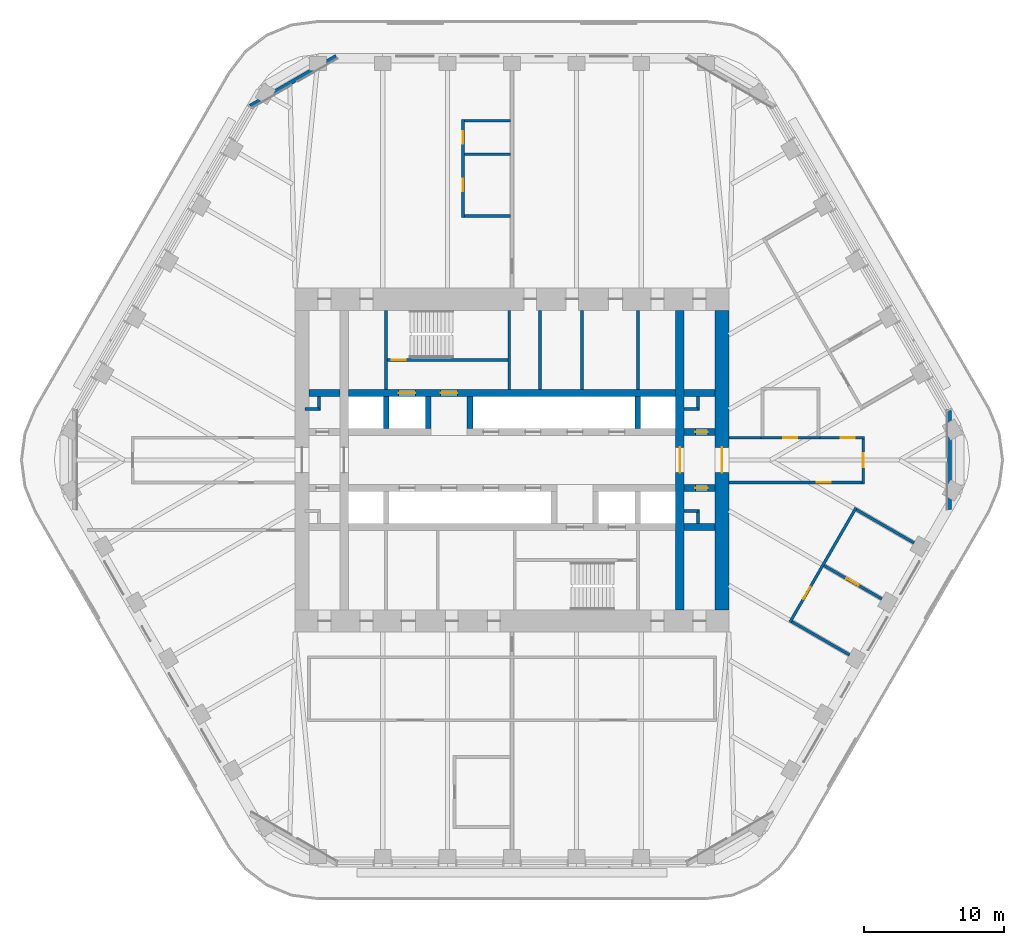
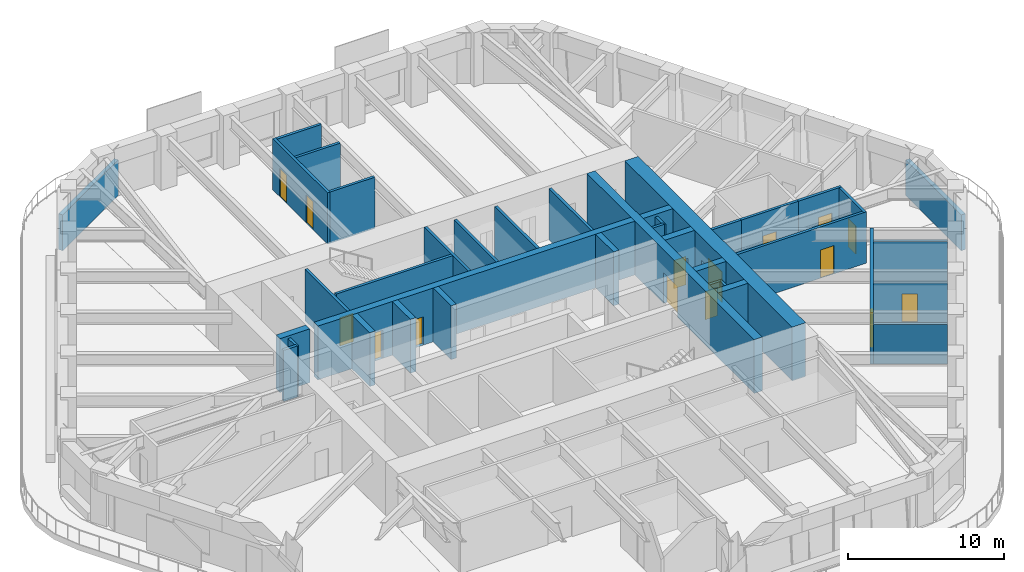
# One storey, part 16 of 20: 39 walls, 15 doors, 15 openings.
"""IFC4 building model written with IfcOpenShell, lengths in metres."""

from ifc_helpers import new_model, si_unit, direction, frame, frame_2d, origin, place, context, subcontext, project, spatial, rectangle, extrude, material, layer, layer_set, type_object, element, fill, save


model = new_model("IFC4")

# Units and contexts
model_context = context("Model", 3, precision=1e-05, world=origin(), true_north=direction((0.0, 1.0)))
body_context = subcontext(model_context, "Body", "Model", "MODEL_VIEW")
ifc_project = project(units=[si_unit("LENGTHUNIT", "METRE"), si_unit("AREAUNIT", "SQUARE_METRE"), si_unit("VOLUMEUNIT", "CUBIC_METRE"), si_unit("PLANEANGLEUNIT", "RADIAN"), si_unit("MASSUNIT", "GRAM", prefix="KILO")], contexts=[model_context])

# Site, building, storey
site_placement = place(None, origin())
site = spatial("IfcSite", under=ifc_project, at=site_placement, CompositionType="ELEMENT")
building_placement = place(site_placement, origin())
building = spatial("IfcBuilding", under=site, at=building_placement, Name="Tarfa Lantern Tower", CompositionType="ELEMENT")
storey_placement = place(building_placement, frame((0.0, 0.0, 257.5)))
storey = spatial("IfcBuildingStorey", under=building, at=storey_placement, Name="L58", CompositionType="ELEMENT", Elevation=257.5)

# Walls
ifc_material_1 = material(Name="Limestone cladding on blockwork", Category="masonry")
ifc_layer_1 = layer(ifc_material_1, 0.300048828125)
ifc_layer_set_1 = layer_set([ifc_layer_1], Name="EW1 STONE-CLAD WALL 300")
wall_type_1 = type_object("IfcWallType", Name="EW1 STONE-CLAD WALL 300", PredefinedType="SOLIDWALL", material=ifc_layer_set_1)
wall_1_placement = place(storey_placement, frame((-12.556396484375, 28.85009765625, 0.0), z_axis=(0.0, 0.0, 1.0), x_axis=(-0.866010973379, -0.500024993363, 0.0)))
element("IfcWall", 1, at=wall_1_placement, inside=storey, type_object=wall_type_1, Name="Garden wall N-NW", PredefinedType="SOLIDWALL", context=body_context, shape_type="SweptSolid", body=[
    extrude(rectangle(XDim=7.101806640625, YDim=0.300048828125, at=frame_2d((3.55078125, 0.0))), origin(), (0.0, 0.0, 1.0), 2.800048828125),
])
wall_2_placement = place(storey_placement, frame((31.262939453125, -3.55078125, 0.0), z_axis=(0.0, 0.0, 1.0), x_axis=(0.0, 1.0, 0.0)))
element("IfcWall", 2, at=wall_2_placement, inside=storey, type_object=wall_type_1, Name="Garden wall SE-NE", PredefinedType="SOLIDWALL", context=body_context, shape_type="SweptSolid", body=[
    extrude(rectangle(XDim=7.1015625, YDim=0.300048828125, at=frame_2d((3.55078125, 0.0))), origin(), (0.0, 0.0, 1.0), 2.800048828125),
])
ifc_material_2 = material(Name="Concrete blockwork", Category="masonry")
ifc_layer_2 = layer(ifc_material_2, 0.199951171875)
ifc_layer_set_2 = layer_set([ifc_layer_2], Name="IW1 BLOCKWORK PARTITION 200 EI 120")
wall_type_2 = type_object("IfcWallType", Name="IW1 BLOCKWORK PARTITION 200 EI 120", PredefinedType="PARTITIONING", material=ifc_layer_set_2)
for number, where, z_axis, x_axis, name in (
    (3, (-9.0, 5.050048828125, 0.0), (0.0, 0.0, 1.0), (0.0, 1.0, 0.0), "Core partition"),
    (4, (9.0, 5.050048828125, 0.0), (0.0, 0.0, 1.0), (0.0, 1.0, 0.0), "Core partition"),
    (5, (2.0, 5.050048828125, 0.0), (0.0, 0.0, 1.0), (0.0, 1.0, 0.0), "Core partition"),
    (6, (5.0, 5.050048828125, 0.0), (0.0, 0.0, 1.0), (0.0, 1.0, 0.0), "Core partition"),
):
    element("IfcWall", number, at=place(storey_placement, frame(where, z_axis=z_axis, x_axis=x_axis)), inside=storey, type_object=wall_type_2, Name=name, PredefinedType="PARTITIONING", context=body_context, shape_type="SweptSolid", body=[
        extrude(rectangle(XDim=5.64990234375, YDim=0.199951171875, at=frame_2d((2.824951171875, 0.0))), origin(), (0.0, 0.0, 1.0), 4.0),
    ])
for number, where, z_axis, x_axis, name in (
    (7, (-14.800048828125, 3.64990234375, 0.0), (0.0, 0.0, 1.0), (1.0, 0.0, 0.0), "Core partition"),
    (8, (-13.800048828125, 3.550048828125, 0.0), (0.0, 0.0, 1.0), (0.0, 1.0, 0.0), "Core partition"),
    (9, (12.300048828125, 3.64990234375, 0.0), (0.0, 0.0, 1.0), (1.0, 0.0, 0.0), "Core partition"),
    (10, (13.300048828125, 3.550048828125, 0.0), (0.0, 0.0, 1.0), (0.0, 1.0, 0.0), "Core partition"),
    (11, (13.300048828125, -3.64990234375, 0.0), (0.0, 0.0, 1.0), (-1.0, 0.0, 0.0), "Core partition"),
    (12, (13.300048828125, -3.550048828125, 0.0), (0.0, 0.0, 1.0), (0.0, -1.0, 0.0), "Core partition"),
):
    element("IfcWall", number, at=place(storey_placement, frame(where, z_axis=z_axis, x_axis=x_axis)), inside=storey, type_object=wall_type_2, Name=name, PredefinedType="PARTITIONING", context=body_context, shape_type="SweptSolid", body=[
        extrude(rectangle(XDim=1.0, YDim=0.199951171875, at=frame_2d((0.5, 0.0))), origin(), (0.0, 0.0, 1.0), 4.0),
    ])

# Wall, opening, door
ifc_material_3 = material(Name="Gypsum board on steel studs", Category="steel")
ifc_layer_3 = layer(ifc_material_3, 0.2099609375)
ifc_layer_set_3 = layer_set([ifc_layer_3], Name="IW2 ACOUSTIC PARTITION 200")
wall_type_3 = type_object("IfcWallType", Name="IW2 ACOUSTIC PARTITION 200", PredefinedType="PARTITIONING", material=ifc_layer_set_3)
wall_3_placement = place(storey_placement, frame((19.86865234375, -11.586669921875, 0.0), z_axis=(0.0, 0.0, 1.0), x_axis=(0.499989672313, 0.866031366395, 0.0)))
wall_3 = element("IfcWall", 13, at=wall_3_placement, inside=storey, type_object=wall_type_3, Name="Partition", PredefinedType="PARTITIONING", context=body_context, shape_type="SweptSolid", body=[
    extrude(rectangle(XDim=9.437744140625, YDim=0.199951171875, at=frame_2d((4.71875, 0.0))), origin(), (0.0, 0.0, 1.0), 4.0),
])
opening_1_placement = place(wall_3_placement, frame((1.909423828125, 0.0, 0.0)))
opening_1 = element("IfcOpeningElement", 14, at=opening_1_placement, cuts=wall_3, Name="Opening D30", PredefinedType="OPENING", context=body_context, shape_type="SweptSolid", body=[
    extrude(rectangle(XDim=1.0, YDim=2.199951171875, at=frame_2d((0.5, 1.10009765625))), frame((0.0, 0.10986328125, 0.0), z_axis=(0.0, -1.0, 0.0), x_axis=(1.0, 0.0, 0.0)), (0.0, 0.0, 1.0), 0.219970703125),
])
ifc_material_4 = material(Name="Timber door", Category="wood")
door_type_1 = type_object("IfcDoorType", Name="DR1 ROOM DOOR 1000x2200", OperationType="SINGLE_SWING_LEFT", PredefinedType="DOOR", material=ifc_material_4)
door_1_placement = place(opening_1_placement, frame((1.0, 0.0, 0.0), z_axis=(0.0, 0.0, 1.0), x_axis=(-1.0, 0.0, 0.0)))
door_1 = element("IfcDoor", 15, at=door_1_placement, inside=storey, type_object=door_type_1, Name="Client reception door", OperationType="SINGLE_SWING_LEFT", OverallHeight=2.199951171875, OverallWidth=1.0, PredefinedType="DOOR", context=body_context, shape_type="SweptSolid", body=[
    extrude(rectangle(XDim=1.0, YDim=2.199951171875, at=frame_2d((0.5, 1.10009765625))), frame((0.0, 0.02490234375, 0.0), z_axis=(0.0, -1.0, 0.0), x_axis=(1.0, 0.0, 0.0)), (0.0, 0.0, 1.0), 0.050048828125),
])
fill(opening_1, door_1)

# Wall
wall_4_placement = place(storey_placement, frame((20.005126953125, -11.550048828125, 0.0), z_axis=(0.0, 0.0, 1.0), x_axis=(0.866033238375, -0.499986429846, 0.0)))
element("IfcWall", 16, at=wall_4_placement, inside=storey, type_object=wall_type_3, Name="Partition", PredefinedType="PARTITIONING", context=body_context, shape_type="SweptSolid", body=[
    extrude(rectangle(XDim=4.750244140625, YDim=0.199951171875, at=frame_2d((2.375, 0.0))), origin(), (0.0, 0.0, 1.0), 3.08154296875),
])

# Wall, opening, door
wall_5_placement = place(storey_placement, frame((22.314697265625, -7.550048828125, 0.0), z_axis=(0.0, 0.0, 1.0), x_axis=(0.866020389056, -0.500008685663, 0.0)))
wall_5 = element("IfcWall", 17, at=wall_5_placement, inside=storey, type_object=wall_type_3, Name="Partition", PredefinedType="PARTITIONING", context=body_context, shape_type="SweptSolid", body=[
    extrude(rectangle(XDim=4.75, YDim=0.199951171875, at=frame_2d((2.375, 0.0))), origin(), (0.0, 0.0, 1.0), 3.08154296875),
])
opening_2_placement = place(wall_5_placement, frame((1.824951171875, 0.0, 0.0)))
opening_2 = element("IfcOpeningElement", 18, at=opening_2_placement, cuts=wall_5, Name="Opening D31", PredefinedType="OPENING", context=body_context, shape_type="SweptSolid", body=[
    extrude(rectangle(XDim=1.0, YDim=2.199951171875, at=frame_2d((0.5, 1.10009765625))), frame((0.0, 0.10986328125, 0.0), z_axis=(0.0, -1.0, 0.0), x_axis=(1.0, 0.0, 0.0)), (0.0, 0.0, 1.0), 0.219970703125),
])
door_2_placement = place(opening_2_placement, origin())
door_2 = element("IfcDoor", 19, at=door_2_placement, inside=storey, type_object=door_type_1, Name="Client meeting room door", OperationType="SINGLE_SWING_RIGHT", OverallHeight=2.199951171875, OverallWidth=1.0, PredefinedType="DOOR", context=body_context, shape_type="SweptSolid", body=[
    extrude(rectangle(XDim=1.0, YDim=2.199951171875, at=frame_2d((0.5, 1.10009765625))), frame((0.0, 0.02490234375, 0.0), z_axis=(0.0, -1.0, 0.0), x_axis=(1.0, 0.0, 0.0)), (0.0, 0.0, 1.0), 0.050048828125),
])
fill(opening_2, door_2)

# Wall
wall_6_placement = place(storey_placement, frame((24.6240234375, -3.550048828125, 0.0), z_axis=(0.0, 0.0, 1.0), x_axis=(0.866020389056, -0.500008685663, 0.0)))
element("IfcWall", 20, at=wall_6_placement, inside=storey, type_object=wall_type_3, Name="Partition", PredefinedType="PARTITIONING", context=body_context, shape_type="SweptSolid", body=[
    extrude(rectangle(XDim=4.75, YDim=0.199951171875, at=frame_2d((2.375, 0.0))), origin(), (0.0, 0.0, 1.0), 3.08154296875),
])

# Wall, opening, door
wall_7_placement = place(storey_placement, frame((17.800048828125, 1.60009765625, 0.0), z_axis=(0.0, 0.0, 1.0), x_axis=(1.0, 0.0, 0.0)))
wall_7 = element("IfcWall", 21, at=wall_7_placement, inside=storey, type_object=wall_type_3, Name="Partition", PredefinedType="PARTITIONING", context=body_context, shape_type="SweptSolid", body=[
    extrude(rectangle(XDim=4.199951171875, YDim=0.199951171875, at=frame_2d((2.10009765625, 0.0))), origin(), (0.0, 0.0, 1.0), 4.0),
])
opening_3_placement = place(wall_7_placement, frame((1.60009765625, 0.0, 0.0)))
opening_3 = element("IfcOpeningElement", 22, at=opening_3_placement, cuts=wall_7, Name="Opening D27", PredefinedType="OPENING", context=body_context, shape_type="SweptSolid", body=[
    extrude(rectangle(XDim=1.0, YDim=2.199951171875, at=frame_2d((0.5, 1.10009765625))), frame((0.0, 0.10986328125, 0.0), z_axis=(0.0, -1.0, 0.0), x_axis=(1.0, 0.0, 0.0)), (0.0, 0.0, 1.0), 0.219970703125),
])
door_3_placement = place(opening_3_placement, origin())
door_3 = element("IfcDoor", 23, at=door_3_placement, inside=storey, type_object=door_type_1, Name="Pantry door", OperationType="SINGLE_SWING_LEFT", OverallHeight=2.199951171875, OverallWidth=1.0, PredefinedType="DOOR", context=body_context, shape_type="SweptSolid", body=[
    extrude(rectangle(XDim=1.0, YDim=2.199951171875, at=frame_2d((0.5, 1.10009765625))), frame((0.0, 0.02490234375, 0.0), z_axis=(0.0, -1.0, 0.0), x_axis=(1.0, 0.0, 0.0)), (0.0, 0.0, 1.0), 0.050048828125),
])
fill(opening_3, door_3)

# Wall
wall_8_placement = place(storey_placement, frame((15.5, 1.60009765625, 0.0), z_axis=(0.0, 0.0, 1.0), x_axis=(1.0, 0.0, 0.0)))
element("IfcWall", 24, at=wall_8_placement, inside=storey, type_object=wall_type_3, Name="Partition", PredefinedType="PARTITIONING", context=body_context, shape_type="SweptSolid", body=[
    extrude(rectangle(XDim=2.300048828125, YDim=0.199951171875, at=frame_2d((1.14990234375, 0.0))), origin(), (0.0, 0.0, 1.0), 4.0),
])

# Wall, opening, door
wall_9_placement = place(storey_placement, frame((22.0, 1.60009765625, 0.0), z_axis=(0.0, 0.0, 1.0), x_axis=(1.0, 0.0, 0.0)))
wall_9 = element("IfcWall", 25, at=wall_9_placement, inside=storey, type_object=wall_type_3, Name="Partition", PredefinedType="PARTITIONING", context=body_context, shape_type="SweptSolid", body=[
    extrude(rectangle(XDim=3.199951171875, YDim=0.199951171875, at=frame_2d((1.60009765625, 0.0))), origin(), (0.0, 0.0, 1.0), 4.0),
])
opening_4_placement = place(wall_9_placement, frame((1.5, 0.0, 0.0)))
opening_4 = element("IfcOpeningElement", 26, at=opening_4_placement, cuts=wall_9, Name="Opening D38", PredefinedType="OPENING", context=body_context, shape_type="SweptSolid", body=[
    extrude(rectangle(XDim=1.0, YDim=2.199951171875, at=frame_2d((0.5, 1.10009765625))), frame((0.0, 0.10986328125, 0.0), z_axis=(0.0, -1.0, 0.0), x_axis=(1.0, 0.0, 0.0)), (0.0, 0.0, 1.0), 0.219970703125),
])
door_4_placement = place(opening_4_placement, origin())
door_4 = element("IfcDoor", 27, at=door_4_placement, inside=storey, type_object=door_type_1, Name="Corridor door", OperationType="SINGLE_SWING_RIGHT", OverallHeight=2.199951171875, OverallWidth=1.0, PredefinedType="DOOR", context=body_context, shape_type="SweptSolid", body=[
    extrude(rectangle(XDim=1.0, YDim=2.199951171875, at=frame_2d((0.5, 1.10009765625))), frame((0.0, 0.02490234375, 0.0), z_axis=(0.0, -1.0, 0.0), x_axis=(1.0, 0.0, 0.0)), (0.0, 0.0, 1.0), 0.050048828125),
])
fill(opening_4, door_4)

wall_10_placement = place(storey_placement, frame((15.5, -1.60009765625, 0.0), z_axis=(0.0, 0.0, 1.0), x_axis=(1.0, 0.0, 0.0)))
wall_10 = element("IfcWall", 28, at=wall_10_placement, inside=storey, type_object=wall_type_3, Name="Partition", PredefinedType="PARTITIONING", context=body_context, shape_type="SweptSolid", body=[
    extrude(rectangle(XDim=9.699951171875, YDim=0.199951171875, at=frame_2d((4.85009765625, 0.0))), origin(), (0.0, 0.0, 1.0), 4.0),
])
opening_5_placement = place(wall_10_placement, frame((6.2900390625, 0.0, 0.0)))
opening_5 = element("IfcOpeningElement", 29, at=opening_5_placement, cuts=wall_10, Name="Opening D39", PredefinedType="OPENING", context=body_context, shape_type="SweptSolid", body=[
    extrude(rectangle(XDim=1.0, YDim=2.199951171875, at=frame_2d((0.5, 1.10009765625))), frame((0.0, 0.10986328125, 0.0), z_axis=(0.0, -1.0, 0.0), x_axis=(1.0, 0.0, 0.0)), (0.0, 0.0, 1.0), 0.219970703125),
])
door_5_placement = place(opening_5_placement, frame((1.0, 0.0, 0.0), z_axis=(0.0, 0.0, 1.0), x_axis=(-1.0, 0.0, 0.0)))
door_5 = element("IfcDoor", 30, at=door_5_placement, inside=storey, type_object=door_type_1, Name="Corridor door", OperationType="SINGLE_SWING_RIGHT", OverallHeight=2.199951171875, OverallWidth=1.0, PredefinedType="DOOR", context=body_context, shape_type="SweptSolid", body=[
    extrude(rectangle(XDim=1.0, YDim=2.199951171875, at=frame_2d((0.5, 1.10009765625))), frame((0.0, 0.02490234375, 0.0), z_axis=(0.0, -1.0, 0.0), x_axis=(1.0, 0.0, 0.0)), (0.0, 0.0, 1.0), 0.050048828125),
])
fill(opening_5, door_5)

wall_11_placement = place(storey_placement, frame((25.10009765625, -1.699951171875, 0.0), z_axis=(0.0, 0.0, 1.0), x_axis=(0.0, 1.0, 0.0)))
wall_11 = element("IfcWall", 31, at=wall_11_placement, inside=storey, type_object=wall_type_3, Name="Partition", PredefinedType="PARTITIONING", context=body_context, shape_type="SweptSolid", body=[
    extrude(rectangle(XDim=3.39990234375, YDim=0.199951171875, at=frame_2d((1.699951171875, 0.0))), origin(), (0.0, 0.0, 1.0), 4.0),
])
opening_6_placement = place(wall_11_placement, frame((1.199951171875, 0.0, 0.0)))
opening_6 = element("IfcOpeningElement", 32, at=opening_6_placement, cuts=wall_11, Name="Opening D37", PredefinedType="OPENING", context=body_context, shape_type="SweptSolid", body=[
    extrude(rectangle(XDim=1.0, YDim=2.199951171875, at=frame_2d((0.5, 1.10009765625))), frame((0.0, 0.10986328125, 0.0), z_axis=(0.0, -1.0, 0.0), x_axis=(1.0, 0.0, 0.0)), (0.0, 0.0, 1.0), 0.219970703125),
])
door_6_placement = place(opening_6_placement, frame((1.0, 0.0, 0.0), z_axis=(0.0, 0.0, 1.0), x_axis=(-1.0, 0.0, 0.0)))
door_6 = element("IfcDoor", 33, at=door_6_placement, inside=storey, type_object=door_type_1, Name="Corridor door", OperationType="SINGLE_SWING_LEFT", OverallHeight=2.199951171875, OverallWidth=1.0, PredefinedType="DOOR", context=body_context, shape_type="SweptSolid", body=[
    extrude(rectangle(XDim=1.0, YDim=2.199951171875, at=frame_2d((0.5, 1.10009765625))), frame((0.0, 0.02490234375, 0.0), z_axis=(0.0, -1.0, 0.0), x_axis=(1.0, 0.0, 0.0)), (0.0, 0.0, 1.0), 0.050048828125),
])
fill(opening_6, door_6)

# Wall, openings, doors
wall_12_placement = place(storey_placement, frame((-3.5, 17.3525390625, 0.0), z_axis=(0.0, 0.0, 1.0), x_axis=(0.0, 1.0, 0.0)))
wall_12 = element("IfcWall", 34, at=wall_12_placement, inside=storey, type_object=wall_type_3, Name="Partition", PredefinedType="PARTITIONING", context=body_context, shape_type="SweptSolid", body=[
    extrude(rectangle(XDim=7.0, YDim=0.199951171875, at=frame_2d((3.5, 0.0))), origin(), (0.0, 0.0, 1.0), 4.0),
])
opening_7_placement = place(wall_12_placement, frame((1.85009765625, 0.0, 0.0)))
opening_7 = element("IfcOpeningElement", 35, at=opening_7_placement, cuts=wall_12, Name="Opening D34", PredefinedType="OPENING", context=body_context, shape_type="SweptSolid", body=[
    extrude(rectangle(XDim=0.89990234375, YDim=2.199951171875, at=frame_2d((0.449951171875, 1.10009765625))), frame((0.0, 0.10986328125, 0.0), z_axis=(0.0, -1.0, 0.0), x_axis=(1.0, 0.0, 0.0)), (0.0, 0.0, 1.0), 0.219970703125),
])
opening_8_placement = place(wall_12_placement, frame((5.25, 0.0, 0.0)))
opening_8 = element("IfcOpeningElement", 36, at=opening_8_placement, cuts=wall_12, Name="Opening D35", PredefinedType="OPENING", context=body_context, shape_type="SweptSolid", body=[
    extrude(rectangle(XDim=0.89990234375, YDim=2.199951171875, at=frame_2d((0.449951171875, 1.10009765625))), frame((0.0, 0.10986328125, 0.0), z_axis=(0.0, -1.0, 0.0), x_axis=(1.0, 0.0, 0.0)), (0.0, 0.0, 1.0), 0.219970703125),
])
door_type_2 = type_object("IfcDoorType", Name="DR3 ROOM DOOR 900x2200", OperationType="SINGLE_SWING_LEFT", PredefinedType="DOOR", material=ifc_material_4)
door_7_placement = place(opening_7_placement, frame((0.89990234375, 0.0, 0.0), z_axis=(0.0, 0.0, 1.0), x_axis=(-1.0, 0.0, 0.0)))
door_7 = element("IfcDoor", 37, at=door_7_placement, inside=storey, type_object=door_type_2, Name="Project room door", OperationType="SINGLE_SWING_LEFT", OverallHeight=2.199951171875, OverallWidth=0.89990234375, PredefinedType="DOOR", context=body_context, shape_type="SweptSolid", body=[
    extrude(rectangle(XDim=0.89990234375, YDim=2.199951171875, at=frame_2d((0.449951171875, 1.10009765625))), frame((0.0, 0.02490234375, 0.0), z_axis=(0.0, -1.0, 0.0), x_axis=(1.0, 0.0, 0.0)), (0.0, 0.0, 1.0), 0.050048828125),
])
fill(opening_7, door_7)
door_8_placement = place(opening_8_placement, frame((0.89990234375, 0.0, 0.0), z_axis=(0.0, 0.0, 1.0), x_axis=(-1.0, 0.0, 0.0)))
door_8 = element("IfcDoor", 38, at=door_8_placement, inside=storey, type_object=door_type_2, Name="Print and copy room door", OperationType="SINGLE_SWING_RIGHT", OverallHeight=2.199951171875, OverallWidth=0.89990234375, PredefinedType="DOOR", context=body_context, shape_type="SweptSolid", body=[
    extrude(rectangle(XDim=0.89990234375, YDim=2.199951171875, at=frame_2d((0.449951171875, 1.10009765625))), frame((0.0, 0.02490234375, 0.0), z_axis=(0.0, -1.0, 0.0), x_axis=(1.0, 0.0, 0.0)), (0.0, 0.0, 1.0), 0.050048828125),
])
fill(opening_8, door_8)

# Walls
for number, where, z_axis, x_axis, name in (
    (39, (-0.10009765625, 17.452392578125, 0.0), (0.0, 0.0, 1.0), (-1.0, 0.0, 0.0), "Partition"),
    (40, (-0.10009765625, 21.8525390625, 0.0), (0.0, 0.0, 1.0), (-1.0, 0.0, 0.0), "Partition"),
    (41, (-0.10009765625, 24.25244140625, 0.0), (0.0, 0.0, 1.0), (-1.0, 0.0, 0.0), "Partition"),
):
    element("IfcWall", number, at=place(storey_placement, frame(where, z_axis=z_axis, x_axis=x_axis)), inside=storey, type_object=wall_type_3, Name=name, PredefinedType="PARTITIONING", context=body_context, shape_type="SweptSolid", body=[
        extrude(rectangle(XDim=3.2998046875, YDim=0.199951171875, at=frame_2d((1.64990234375, 0.0))), origin(), (0.0, 0.0, 1.0), 4.0),
    ])
ifc_material_5 = material(Name="Concrete C80/95", Category="concrete")
ifc_layer_4 = layer(ifc_material_5, 0.199951171875)
ifc_layer_set_4 = layer_set([ifc_layer_4], Name="SW12 CORE WALL 200")
wall_type_4 = type_object("IfcWallType", Name="SW12 CORE WALL 200", PredefinedType="SHEAR", material=ifc_layer_set_4)
wall_13_placement = place(storey_placement, frame((-0.199951171875, 5.050048828125, 0.0), z_axis=(0.0, 0.0, 1.0), x_axis=(0.0, 1.0, 0.0)))
element("IfcWall", 42, at=wall_13_placement, inside=storey, type_object=wall_type_4, Name="Core wall stair shaft N", PredefinedType="SHEAR", context=body_context, shape_type="SweptSolid", body=[
    extrude(rectangle(XDim=5.64990234375, YDim=0.199951171875, at=frame_2d((2.824951171875, 0.0))), origin(), (0.0, 0.0, 1.0), 4.199951171875),
])

# Wall, opening, door
wall_14_placement = place(storey_placement, frame((-8.89990234375, 7.14990234375, 0.0), z_axis=(0.0, 0.0, 1.0), x_axis=(1.0, 0.0, 0.0)))
wall_14 = element("IfcWall", 43, at=wall_14_placement, inside=storey, type_object=wall_type_4, Name="Core wall stair partition N", PredefinedType="SHEAR", context=body_context, shape_type="SweptSolid", body=[
    extrude(rectangle(XDim=8.599853515625, YDim=0.199951171875, at=frame_2d((4.2998046875, 0.0))), origin(), (0.0, 0.0, 1.0), 4.199951171875),
])
opening_9_placement = place(wall_14_placement, frame((0.300048828125, 0.0, 0.0)))
opening_9 = element("IfcOpeningElement", 44, at=opening_9_placement, cuts=wall_14, Name="Opening D23", PredefinedType="OPENING", context=body_context, shape_type="SweptSolid", body=[
    extrude(rectangle(XDim=1.0, YDim=2.199951171875, at=frame_2d((0.5, 1.10009765625))), frame((0.0, 0.10986328125, 0.0), z_axis=(0.0, -1.0, 0.0), x_axis=(1.0, 0.0, 0.0)), (0.0, 0.0, 1.0), 0.219970703125),
])
ifc_material_6 = material(Name="Steel fire door", Category="steel")
door_type_3 = type_object("IfcDoorType", Name="DF2 STAIR DOOR 1000x2200", OperationType="SINGLE_SWING_LEFT", PredefinedType="DOOR", material=ifc_material_6)
door_9_placement = place(opening_9_placement, origin())
door_9 = element("IfcDoor", 45, at=door_9_placement, inside=storey, type_object=door_type_3, Name="Stair door", OperationType="SINGLE_SWING_RIGHT", OverallHeight=2.199951171875, OverallWidth=1.0, PredefinedType="DOOR", context=body_context, shape_type="SweptSolid", body=[
    extrude(rectangle(XDim=1.0, YDim=2.199951171875, at=frame_2d((0.5, 1.10009765625))), frame((0.0, 0.02490234375, 0.0), z_axis=(0.0, -1.0, 0.0), x_axis=(1.0, 0.0, 0.0)), (0.0, 0.0, 1.0), 0.050048828125),
])
fill(opening_9, door_9)

ifc_layer_5 = layer(ifc_material_5, 1.0)
ifc_layer_set_5 = layer_set([ifc_layer_5], Name="SW2 CORE WALL 1000")
wall_type_5 = type_object("IfcWallType", Name="SW2 CORE WALL 1000", PredefinedType="SHEAR", material=ifc_layer_set_5)
wall_15_placement = place(storey_placement, frame((15.0, -10.699951171875, 0.0), z_axis=(0.0, 0.0, 1.0), x_axis=(0.0, 1.0, 0.0)))
wall_15 = element("IfcWall", 46, at=wall_15_placement, inside=storey, type_object=wall_type_5, Name="Core wall E", PredefinedType="SHEAR", context=body_context, shape_type="SweptSolid", body=[
    extrude(rectangle(XDim=21.39990234375, YDim=1.0, at=frame_2d((10.699951171875, 0.0))), origin(), (0.0, 0.0, 1.0), 4.199951171875),
])
opening_10_placement = place(wall_15_placement, frame((9.800048828125, 0.0, 0.0)))
opening_10 = element("IfcOpeningElement", 47, at=opening_10_placement, cuts=wall_15, Name="Opening D11", PredefinedType="OPENING", context=body_context, shape_type="SweptSolid", body=[
    extrude(rectangle(XDim=1.800048828125, YDim=2.39990234375, at=frame_2d((0.89990234375, 1.199951171875))), frame((0.0, 0.510009765625, 0.0), z_axis=(0.0, -1.0, 0.0), x_axis=(1.0, 0.0, 0.0)), (0.0, 0.0, 1.0), 1.02001953125),
])
door_type_4 = type_object("IfcDoorType", Name="DL1 LOBBY DOOR 1800x2400", OperationType="DOUBLE_DOOR_SINGLE_SWING", PredefinedType="DOOR", material=ifc_material_6)
door_10_placement = place(opening_10_placement, frame((1.800048828125, 0.0, 0.0), z_axis=(0.0, 0.0, 1.0), x_axis=(-1.0, 0.0, 0.0)))
door_10 = element("IfcDoor", 48, at=door_10_placement, inside=storey, type_object=door_type_4, Name="Lift lobby door", OperationType="DOUBLE_DOOR_SINGLE_SWING", OverallHeight=2.39990234375, OverallWidth=1.800048828125, PredefinedType="DOOR", context=body_context, shape_type="SweptSolid", body=[
    extrude(rectangle(XDim=1.800048828125, YDim=2.39990234375, at=frame_2d((0.89990234375, 1.199951171875))), frame((0.0, 0.02490234375, 0.0), z_axis=(0.0, -1.0, 0.0), x_axis=(1.0, 0.0, 0.0)), (0.0, 0.0, 1.0), 0.050048828125),
])
fill(opening_10, door_10)

ifc_layer_6 = layer(ifc_material_5, 0.5)
ifc_layer_set_6 = layer_set([ifc_layer_6], Name="SW5 CORE WALL 500")
wall_type_6 = type_object("IfcWallType", Name="SW5 CORE WALL 500", PredefinedType="SHEAR", material=ifc_layer_set_6)
wall_16_placement = place(storey_placement, frame((12.300048828125, 2.0, 0.0), z_axis=(0.0, 0.0, 1.0), x_axis=(1.0, 0.0, 0.0)))
wall_16 = element("IfcWall", 49, at=wall_16_placement, inside=storey, type_object=wall_type_6, Name="Core wall lobby east N", PredefinedType="SHEAR", context=body_context, shape_type="SweptSolid", body=[
    extrude(rectangle(XDim=2.199951171875, YDim=0.5, at=frame_2d((1.10009765625, 0.0))), origin(), (0.0, 0.0, 1.0), 4.199951171875),
])
opening_11_placement = place(wall_16_placement, frame((0.800048828125, 0.0, 0.0)))
opening_11 = element("IfcOpeningElement", 50, at=opening_11_placement, cuts=wall_16, Name="Opening D13", PredefinedType="OPENING", context=body_context, shape_type="SweptSolid", body=[
    extrude(rectangle(XDim=0.89990234375, YDim=2.199951171875, at=frame_2d((0.449951171875, 1.10009765625))), frame((0.0, 0.260009765625, 0.0), z_axis=(0.0, -1.0, 0.0), x_axis=(1.0, 0.0, 0.0)), (0.0, 0.0, 1.0), 0.52001953125),
])
door_type_5 = type_object("IfcDoorType", Name="DF6 SERVICE ROOM DOOR 900x2200", OperationType="SINGLE_SWING_LEFT", PredefinedType="DOOR", material=ifc_material_6)
door_11_placement = place(opening_11_placement, origin())
door_11 = element("IfcDoor", 51, at=door_11_placement, inside=storey, type_object=door_type_5, Name="Service room door", OperationType="SINGLE_SWING_LEFT", OverallHeight=2.199951171875, OverallWidth=0.89990234375, PredefinedType="DOOR", context=body_context, shape_type="SweptSolid", body=[
    extrude(rectangle(XDim=0.89990234375, YDim=2.199951171875, at=frame_2d((0.449951171875, 1.10009765625))), frame((0.0, 0.02490234375, 0.0), z_axis=(0.0, -1.0, 0.0), x_axis=(1.0, 0.0, 0.0)), (0.0, 0.0, 1.0), 0.050048828125),
])
fill(opening_11, door_11)

# Wall
wall_17_placement = place(storey_placement, frame((-14.5, 4.800048828125, 0.0), z_axis=(0.0, 0.0, 1.0), x_axis=(1.0, 0.0, 0.0)))
element("IfcWall", 52, at=wall_17_placement, inside=storey, type_object=wall_type_6, Name="Core wall rear N", PredefinedType="SHEAR", context=body_context, shape_type="SweptSolid", body=[
    extrude(rectangle(XDim=2.199951171875, YDim=0.5, at=frame_2d((1.10009765625, 0.0))), origin(), (0.0, 0.0, 1.0), 4.199951171875),
])

# Wall, openings, doors
wall_18_placement = place(storey_placement, frame((-11.699951171875, 4.800048828125, 0.0), z_axis=(0.0, 0.0, 1.0), x_axis=(1.0, 0.0, 0.0)))
wall_18 = element("IfcWall", 53, at=wall_18_placement, inside=storey, type_object=wall_type_6, Name="Core wall rear N", PredefinedType="SHEAR", context=body_context, shape_type="SweptSolid", body=[
    extrude(rectangle(XDim=23.39990234375, YDim=0.5, at=frame_2d((11.699951171875, 0.0))), origin(), (0.0, 0.0, 1.0), 4.199951171875),
])
opening_12_placement = place(wall_18_placement, frame((6.60009765625, 0.0, 0.0)))
opening_12 = element("IfcOpeningElement", 54, at=opening_12_placement, cuts=wall_18, Name="Opening D09", PredefinedType="OPENING", context=body_context, shape_type="SweptSolid", body=[
    extrude(rectangle(XDim=1.199951171875, YDim=2.199951171875, at=frame_2d((0.60009765625, 1.10009765625))), frame((0.0, 0.260009765625, 0.0), z_axis=(0.0, -1.0, 0.0), x_axis=(1.0, 0.0, 0.0)), (0.0, 0.0, 1.0), 0.52001953125),
])
opening_13_placement = place(wall_18_placement, frame((3.60009765625, 0.0, 0.0)))
opening_13 = element("IfcOpeningElement", 55, at=opening_13_placement, cuts=wall_18, Name="Opening LD01", PredefinedType="OPENING", context=body_context, shape_type="SweptSolid", body=[
    extrude(rectangle(XDim=1.199951171875, YDim=2.199951171875, at=frame_2d((0.60009765625, 1.10009765625))), frame((0.0, 0.260009765625, 0.0), z_axis=(0.0, -1.0, 0.0), x_axis=(1.0, 0.0, 0.0)), (0.0, 0.0, 1.0), 0.52001953125),
])
door_type_6 = type_object("IfcDoorType", Name="DF1 FIREFIGHTING LOBBY DOOR 1200x2200", OperationType="SINGLE_SWING_LEFT", PredefinedType="DOOR", material=ifc_material_6)
door_12_placement = place(opening_12_placement, origin())
door_12 = element("IfcDoor", 56, at=door_12_placement, inside=storey, type_object=door_type_6, Name="Firefighting lobby door", OperationType="SINGLE_SWING_LEFT", OverallHeight=2.199951171875, OverallWidth=1.199951171875, PredefinedType="DOOR", context=body_context, shape_type="SweptSolid", body=[
    extrude(rectangle(XDim=1.199951171875, YDim=2.199951171875, at=frame_2d((0.60009765625, 1.10009765625))), frame((0.0, 0.02490234375, 0.0), z_axis=(0.0, -1.0, 0.0), x_axis=(1.0, 0.0, 0.0)), (0.0, 0.0, 1.0), 0.050048828125),
])
fill(opening_12, door_12)
ifc_material_7 = material(Name="Stainless steel lift door", Category="steel")
door_type_7 = type_object("IfcDoorType", Name="LD1 LIFT LANDING DOOR 1200x2200", OperationType="SLIDING_TO_LEFT", PredefinedType="DOOR", material=ifc_material_7)
door_13_placement = place(opening_13_placement, origin())
door_13 = element("IfcDoor", 57, at=door_13_placement, inside=storey, type_object=door_type_7, Name="Landing door FL1", OperationType="SLIDING_TO_LEFT", OverallHeight=2.199951171875, OverallWidth=1.199951171875, PredefinedType="DOOR", context=body_context, shape_type="SweptSolid", body=[
    extrude(rectangle(XDim=1.199951171875, YDim=2.199951171875, at=frame_2d((0.60009765625, 1.10009765625))), frame((0.0, 0.02490234375, 0.0), z_axis=(0.0, -1.0, 0.0), x_axis=(1.0, 0.0, 0.0)), (0.0, 0.0, 1.0), 0.050048828125),
])
fill(opening_13, door_13)

# Wall
wall_19_placement = place(storey_placement, frame((12.300048828125, 4.800048828125, 0.0), z_axis=(0.0, 0.0, 1.0), x_axis=(1.0, 0.0, 0.0)))
element("IfcWall", 58, at=wall_19_placement, inside=storey, type_object=wall_type_6, Name="Core wall rear N", PredefinedType="SHEAR", context=body_context, shape_type="SweptSolid", body=[
    extrude(rectangle(XDim=2.199951171875, YDim=0.5, at=frame_2d((1.10009765625, 0.0))), origin(), (0.0, 0.0, 1.0), 4.199951171875),
])

# Wall, opening, door
wall_20_placement = place(storey_placement, frame((14.5, -2.0, 0.0), z_axis=(0.0, 0.0, 1.0), x_axis=(-1.0, 0.0, 0.0)))
wall_20 = element("IfcWall", 59, at=wall_20_placement, inside=storey, type_object=wall_type_6, Name="Core wall lobby west S", PredefinedType="SHEAR", context=body_context, shape_type="SweptSolid", body=[
    extrude(rectangle(XDim=2.199951171875, YDim=0.5, at=frame_2d((1.10009765625, 0.0))), origin(), (0.0, 0.0, 1.0), 4.199951171875),
])
opening_14_placement = place(wall_20_placement, frame((0.5, 0.0, 0.0)))
opening_14 = element("IfcOpeningElement", 60, at=opening_14_placement, cuts=wall_20, Name="Opening D16", PredefinedType="OPENING", context=body_context, shape_type="SweptSolid", body=[
    extrude(rectangle(XDim=0.89990234375, YDim=2.199951171875, at=frame_2d((0.449951171875, 1.10009765625))), frame((0.0, 0.260009765625, 0.0), z_axis=(0.0, -1.0, 0.0), x_axis=(1.0, 0.0, 0.0)), (0.0, 0.0, 1.0), 0.52001953125),
])
door_14_placement = place(opening_14_placement, origin())
door_14 = element("IfcDoor", 61, at=door_14_placement, inside=storey, type_object=door_type_5, Name="Service room door", OperationType="SINGLE_SWING_RIGHT", OverallHeight=2.199951171875, OverallWidth=0.89990234375, PredefinedType="DOOR", context=body_context, shape_type="SweptSolid", body=[
    extrude(rectangle(XDim=0.89990234375, YDim=2.199951171875, at=frame_2d((0.449951171875, 1.10009765625))), frame((0.0, 0.02490234375, 0.0), z_axis=(0.0, -1.0, 0.0), x_axis=(1.0, 0.0, 0.0)), (0.0, 0.0, 1.0), 0.050048828125),
])
fill(opening_14, door_14)

# Walls
wall_21_placement = place(storey_placement, frame((14.5, -4.800048828125, 0.0), z_axis=(0.0, 0.0, 1.0), x_axis=(-1.0, 0.0, 0.0)))
element("IfcWall", 62, at=wall_21_placement, inside=storey, type_object=wall_type_6, Name="Core wall rear S", PredefinedType="SHEAR", context=body_context, shape_type="SweptSolid", body=[
    extrude(rectangle(XDim=2.199951171875, YDim=0.5, at=frame_2d((1.10009765625, 0.0))), origin(), (0.0, 0.0, 1.0), 4.199951171875),
])
ifc_layer_7 = layer(ifc_material_5, 0.39990234375)
ifc_layer_set_7 = layer_set([ifc_layer_7], Name="SW6 CORE WALL 400")
wall_type_7 = type_object("IfcWallType", Name="SW6 CORE WALL 400", PredefinedType="SHEAR", material=ifc_layer_set_7)
for number, where, z_axis, x_axis, name in (
    (63, (-9.0, 2.25, 0.0), (0.0, 0.0, 1.0), (0.0, 1.0, 0.0), "Core wall divider N"),
    (64, (-6.0, 2.25, 0.0), (0.0, 0.0, 1.0), (0.0, 1.0, 0.0), "Core wall divider N"),
    (65, (-3.0, 2.25, 0.0), (0.0, 0.0, 1.0), (0.0, 1.0, 0.0), "Core wall divider N"),
    (66, (9.0, 2.25, 0.0), (0.0, 0.0, 1.0), (0.0, 1.0, 0.0), "Core wall divider N"),
):
    element("IfcWall", number, at=place(storey_placement, frame(where, z_axis=z_axis, x_axis=x_axis)), inside=storey, type_object=wall_type_7, Name=name, PredefinedType="SHEAR", context=body_context, shape_type="SweptSolid", body=[
        extrude(rectangle(XDim=2.300048828125, YDim=0.39990234375, at=frame_2d((1.14990234375, 0.0))), origin(), (0.0, 0.0, 1.0), 4.199951171875),
    ])

# Wall, opening, door
ifc_layer_8 = layer(ifc_material_5, 0.60009765625)
ifc_layer_set_8 = layer_set([ifc_layer_8], Name="SW9 CORE WALL 600")
wall_type_8 = type_object("IfcWallType", Name="SW9 CORE WALL 600", PredefinedType="SHEAR", material=ifc_layer_set_8)
wall_22_placement = place(storey_placement, frame((12.0, -10.699951171875, 0.0), z_axis=(0.0, 0.0, 1.0), x_axis=(0.0, 1.0, 0.0)))
wall_22 = element("IfcWall", 67, at=wall_22_placement, inside=storey, type_object=wall_type_8, Name="Core wall cross 12 m east", PredefinedType="SHEAR", context=body_context, shape_type="SweptSolid", body=[
    extrude(rectangle(XDim=21.39990234375, YDim=0.60009765625, at=frame_2d((10.699951171875, 0.0))), origin(), (0.0, 0.0, 1.0), 4.199951171875),
])
opening_15_placement = place(wall_22_placement, frame((9.800048828125, 0.0, 0.0)))
opening_15 = element("IfcOpeningElement", 68, at=opening_15_placement, cuts=wall_22, Name="Opening D25", PredefinedType="OPENING", context=body_context, shape_type="SweptSolid", body=[
    extrude(rectangle(XDim=1.800048828125, YDim=2.39990234375, at=frame_2d((0.89990234375, 1.199951171875))), frame((0.0, 0.31005859375, 0.0), z_axis=(0.0, -1.0, 0.0), x_axis=(1.0, 0.0, 0.0)), (0.0, 0.0, 1.0), 0.6201171875),
])
door_15_placement = place(opening_15_placement, origin())
door_15 = element("IfcDoor", 69, at=door_15_placement, inside=storey, type_object=door_type_4, Name="Lift lobby door", OperationType="DOUBLE_DOOR_SINGLE_SWING", OverallHeight=2.39990234375, OverallWidth=1.800048828125, PredefinedType="DOOR", context=body_context, shape_type="SweptSolid", body=[
    extrude(rectangle(XDim=1.800048828125, YDim=2.39990234375, at=frame_2d((0.89990234375, 1.199951171875))), frame((0.0, 0.02490234375, 0.0), z_axis=(0.0, -1.0, 0.0), x_axis=(1.0, 0.0, 0.0)), (0.0, 0.0, 1.0), 0.050048828125),
])
fill(opening_15, door_15)

save(model, "model.ifc")
